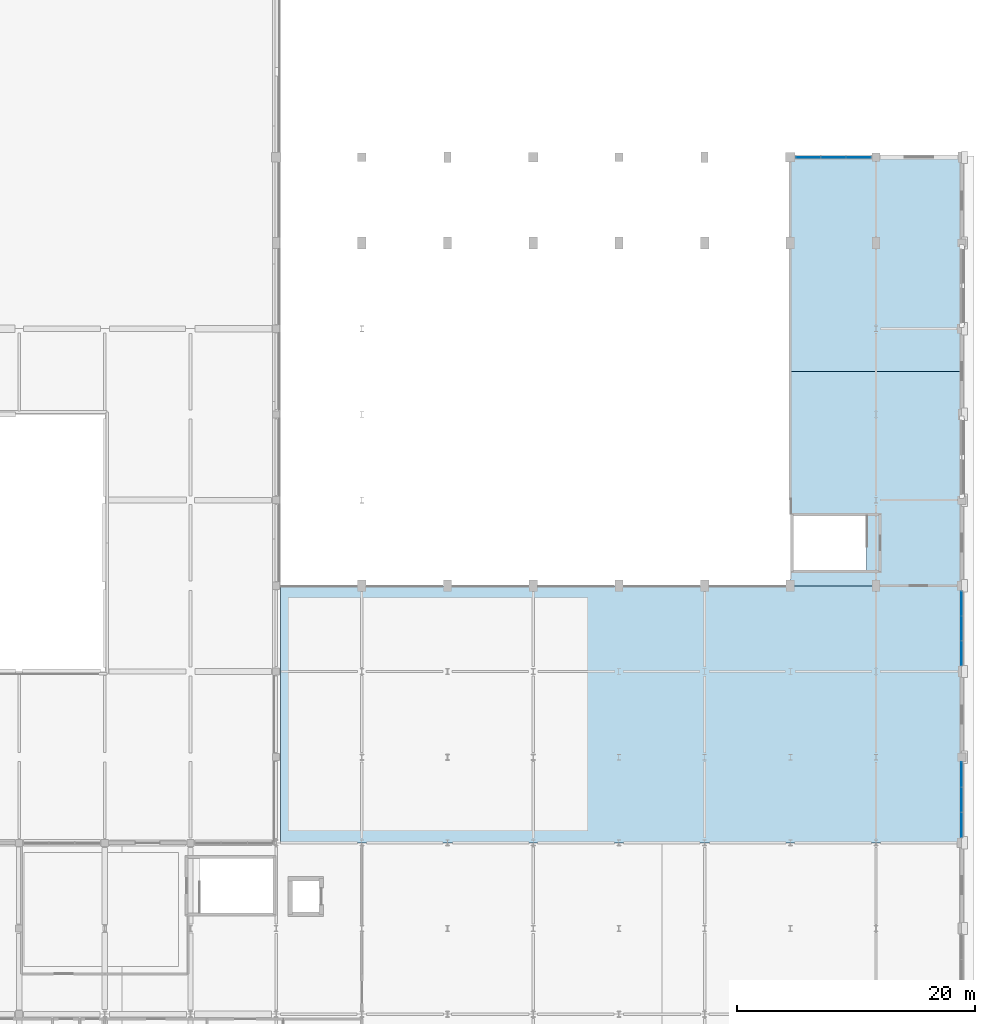
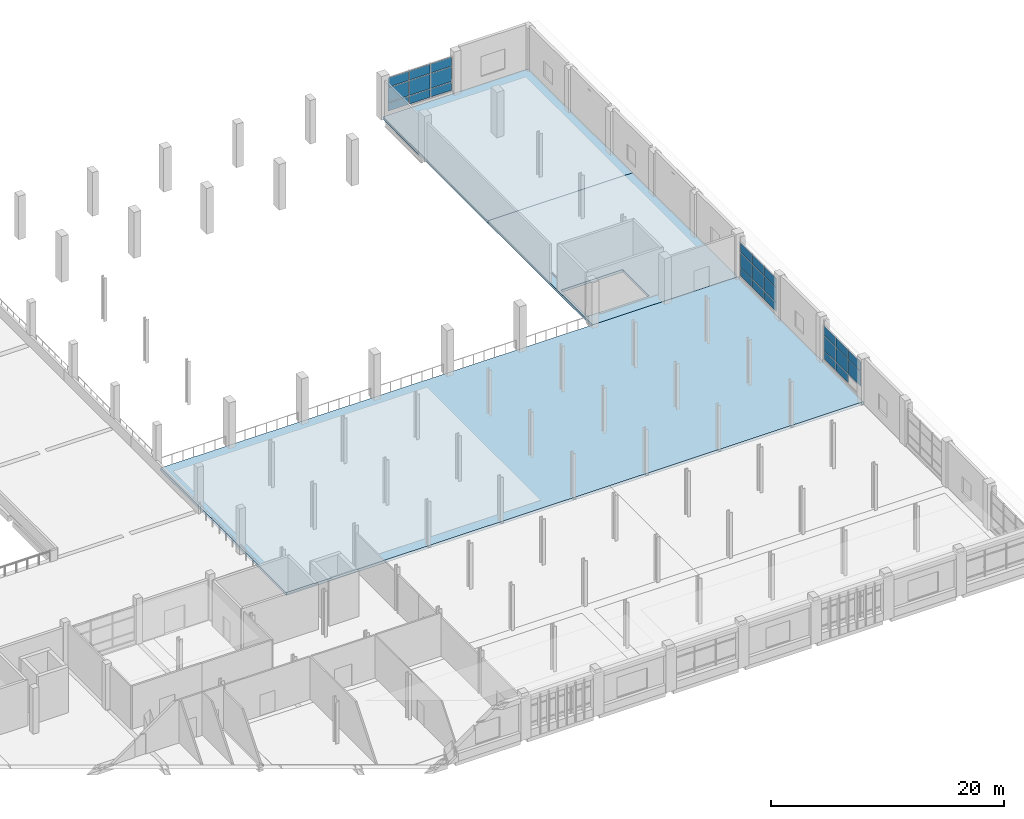
# One storey, part 50 of 82: 26 plates, 3 slabs, 3 elements without a shape of their own.
"""IFC4 building model written with IfcOpenShell, lengths in metres."""

from ifc_helpers import new_model, si_unit, direction, frame, origin, origin_2d, place, context, subcontext, project, spatial, polyline, rectangle, outline, extrude, material, layer, layer_set, type_object, element, aggregate, save


model = new_model("IFC4")

# Units and contexts
model_context = context("Model", 3, precision=1e-05, world=origin(), true_north=direction((0.0, 1.0)))
body_context = subcontext(model_context, "Body", "Model", "MODEL_VIEW")
ifc_project = project(units=[si_unit("LENGTHUNIT", "METRE"), si_unit("AREAUNIT", "SQUARE_METRE"), si_unit("VOLUMEUNIT", "CUBIC_METRE"), si_unit("PLANEANGLEUNIT", "RADIAN"), si_unit("MASSUNIT", "GRAM", prefix="KILO")], contexts=[model_context])

# Site, building, storey
site_placement = place(None, origin())
site = spatial("IfcSite", under=ifc_project, at=site_placement, CompositionType="ELEMENT")
building_placement = place(site_placement, origin())
building = spatial("IfcBuilding", under=site, at=building_placement, Name="Sardonyx Promenade Sports Hall", CompositionType="ELEMENT")
storey_placement = place(building_placement, frame((0.0, 0.0, 11.199951171875)))
storey = spatial("IfcBuildingStorey", under=building, at=storey_placement, Name="L02", CompositionType="ELEMENT", Elevation=11.199951171875)

# Curtain wall, plates
ifc_material_1 = material(Name="Aluminium 6063-T6", Category="aluminium")
curtain_wall_type = type_object("IfcCurtainWallType", Name="CW_Prac_East_L02", PredefinedType="USERDEFINED", material=ifc_material_1)
curtain_wall_1_placement = place(storey_placement, origin())
curtain_wall_1 = element("IfcCurtainWall", 1, at=curtain_wall_1_placement, inside=storey, type_object=curtain_wall_type, Name="Curtain wall CW03 cw:L02:056", ObjectType="CURTAIN WALL", PredefinedType="USERDEFINED")
ifc_material_2 = material(Name="Laminated safety sports IGU 36 mm", Category="glass")
ifc_layer_1 = layer(ifc_material_2, 0.035888671875)
ifc_layer_set_1 = layer_set([ifc_layer_1], Name="CW_Pan_Glz_36")
plate_type = type_object("IfcPlateType", Name="CW_Pan_Glz_36", PredefinedType="CURTAIN_PANEL", material=ifc_layer_set_1)
plate_1_placement = place(storey_placement, frame((165.60009765625, 48.90673828125, 0.4150390625), z_axis=(0.0, 0.0, 1.0), x_axis=(0.0, -1.0, 0.0)))
plate_1 = element("IfcPlate", 2, at=plate_1_placement, type_object=plate_type, Name="Curtain panel CP03 cw:L02:056 #1", PredefinedType="CURTAIN_PANEL", context=body_context, shape_type="SweptSolid", body=[
    extrude(rectangle(XDim=2.0166015625, YDim=0.035888671875, at=origin_2d()), origin(), (0.0, 0.0, 1.0), 0.8525390625),
])
plate_2_placement = place(storey_placement, frame((165.60009765625, 48.90673828125, 1.33251953125), z_axis=(0.0, 0.0, 1.0), x_axis=(0.0, -1.0, 0.0)))
plate_2 = element("IfcPlate", 3, at=plate_2_placement, type_object=plate_type, Name="Curtain panel CP03 cw:L02:056 #2", PredefinedType="CURTAIN_PANEL", context=body_context, shape_type="SweptSolid", body=[
    extrude(rectangle(XDim=2.0166015625, YDim=0.035888671875, at=origin_2d()), origin(), (0.0, 0.0, 1.0), 1.534912109375),
])
plate_3_placement = place(storey_placement, frame((165.60009765625, 48.90673828125, 2.9326171875), z_axis=(0.0, 0.0, 1.0), x_axis=(0.0, -1.0, 0.0)))
plate_3 = element("IfcPlate", 4, at=plate_3_placement, type_object=plate_type, Name="Curtain panel CP03 cw:L02:056 #3", PredefinedType="CURTAIN_PANEL", context=body_context, shape_type="SweptSolid", body=[
    extrude(rectangle(XDim=2.0166015625, YDim=0.035888671875, at=origin_2d()), origin(), (0.0, 0.0, 1.0), 0.952392578125),
])
plate_4_placement = place(storey_placement, frame((165.60009765625, 46.824951171875, 0.4150390625), z_axis=(0.0, 0.0, 1.0), x_axis=(0.0, -1.0, 0.0)))
plate_4 = element("IfcPlate", 5, at=plate_4_placement, type_object=plate_type, Name="Curtain panel CP03 cw:L02:056 #4", PredefinedType="CURTAIN_PANEL", context=body_context, shape_type="SweptSolid", body=[
    extrude(rectangle(XDim=2.0166015625, YDim=0.035888671875, at=origin_2d()), origin(), (0.0, 0.0, 1.0), 0.8525390625),
])
plate_5_placement = place(storey_placement, frame((165.60009765625, 46.824951171875, 1.33251953125), z_axis=(0.0, 0.0, 1.0), x_axis=(0.0, -1.0, 0.0)))
plate_5 = element("IfcPlate", 6, at=plate_5_placement, type_object=plate_type, Name="Curtain panel CP03 cw:L02:056 #5", PredefinedType="CURTAIN_PANEL", context=body_context, shape_type="SweptSolid", body=[
    extrude(rectangle(XDim=2.0166015625, YDim=0.035888671875, at=origin_2d()), origin(), (0.0, 0.0, 1.0), 1.534912109375),
])
plate_6_placement = place(storey_placement, frame((165.60009765625, 46.824951171875, 2.9326171875), z_axis=(0.0, 0.0, 1.0), x_axis=(0.0, -1.0, 0.0)))
plate_6 = element("IfcPlate", 7, at=plate_6_placement, type_object=plate_type, Name="Curtain panel CP03 cw:L02:056 #6", PredefinedType="CURTAIN_PANEL", context=body_context, shape_type="SweptSolid", body=[
    extrude(rectangle(XDim=2.0166015625, YDim=0.035888671875, at=origin_2d()), origin(), (0.0, 0.0, 1.0), 0.952392578125),
])
plate_7_placement = place(storey_placement, frame((165.60009765625, 44.743408203125, 0.4150390625), z_axis=(0.0, 0.0, 1.0), x_axis=(0.0, -1.0, 0.0)))
plate_7 = element("IfcPlate", 8, at=plate_7_placement, type_object=plate_type, Name="Curtain panel CP03 cw:L02:056 #7", PredefinedType="CURTAIN_PANEL", context=body_context, shape_type="SweptSolid", body=[
    extrude(rectangle(XDim=2.0166015625, YDim=0.035888671875, at=origin_2d()), origin(), (0.0, 0.0, 1.0), 0.8525390625),
])
plate_8_placement = place(storey_placement, frame((165.60009765625, 44.743408203125, 1.33251953125), z_axis=(0.0, 0.0, 1.0), x_axis=(0.0, -1.0, 0.0)))
plate_8 = element("IfcPlate", 9, at=plate_8_placement, type_object=plate_type, Name="Curtain panel CP03 cw:L02:056 #8", PredefinedType="CURTAIN_PANEL", context=body_context, shape_type="SweptSolid", body=[
    extrude(rectangle(XDim=2.0166015625, YDim=0.035888671875, at=origin_2d()), origin(), (0.0, 0.0, 1.0), 1.534912109375),
])
plate_9_placement = place(storey_placement, frame((165.60009765625, 44.743408203125, 2.9326171875), z_axis=(0.0, 0.0, 1.0), x_axis=(0.0, -1.0, 0.0)))
plate_9 = element("IfcPlate", 10, at=plate_9_placement, type_object=plate_type, Name="Curtain panel CP03 cw:L02:056 #9", PredefinedType="CURTAIN_PANEL", context=body_context, shape_type="SweptSolid", body=[
    extrude(rectangle(XDim=2.0166015625, YDim=0.035888671875, at=origin_2d()), origin(), (0.0, 0.0, 1.0), 0.952392578125),
])
aggregate(curtain_wall_1, [plate_1, plate_2, plate_3, plate_4, plate_5, plate_6, plate_7, plate_8, plate_9])

curtain_wall_2_placement = place(storey_placement, origin())
curtain_wall_2 = element("IfcCurtainWall", 11, at=curtain_wall_2_placement, inside=storey, type_object=curtain_wall_type, Name="Curtain wall CW03 cw:L02:057", ObjectType="CURTAIN WALL", PredefinedType="USERDEFINED")
plate_10_placement = place(storey_placement, frame((165.60009765625, 34.5400390625, 0.4150390625), z_axis=(0.0, 0.0, 1.0), x_axis=(0.0, -1.0, 0.0)))
plate_10 = element("IfcPlate", 12, at=plate_10_placement, type_object=plate_type, Name="Curtain panel CP03 cw:L02:057 #1", PredefinedType="CURTAIN_PANEL", context=body_context, shape_type="SweptSolid", body=[
    extrude(rectangle(XDim=2.050048828125, YDim=0.035888671875, at=origin_2d()), origin(), (0.0, 0.0, 1.0), 0.8525390625),
])
plate_11_placement = place(storey_placement, frame((165.60009765625, 34.5400390625, 1.33251953125), z_axis=(0.0, 0.0, 1.0), x_axis=(0.0, -1.0, 0.0)))
plate_11 = element("IfcPlate", 13, at=plate_11_placement, type_object=plate_type, Name="Curtain panel CP03 cw:L02:057 #2", PredefinedType="CURTAIN_PANEL", context=body_context, shape_type="SweptSolid", body=[
    extrude(rectangle(XDim=2.050048828125, YDim=0.035888671875, at=origin_2d()), origin(), (0.0, 0.0, 1.0), 1.534912109375),
])
plate_12_placement = place(storey_placement, frame((165.60009765625, 34.5400390625, 2.9326171875), z_axis=(0.0, 0.0, 1.0), x_axis=(0.0, -1.0, 0.0)))
plate_12 = element("IfcPlate", 14, at=plate_12_placement, type_object=plate_type, Name="Curtain panel CP03 cw:L02:057 #3", PredefinedType="CURTAIN_PANEL", context=body_context, shape_type="SweptSolid", body=[
    extrude(rectangle(XDim=2.050048828125, YDim=0.035888671875, at=origin_2d()), origin(), (0.0, 0.0, 1.0), 0.952392578125),
])
plate_13_placement = place(storey_placement, frame((165.60009765625, 32.425048828125, 0.4150390625), z_axis=(0.0, 0.0, 1.0), x_axis=(0.0, -1.0, 0.0)))
plate_13 = element("IfcPlate", 15, at=plate_13_placement, type_object=plate_type, Name="Curtain panel CP03 cw:L02:057 #4", PredefinedType="CURTAIN_PANEL", context=body_context, shape_type="SweptSolid", body=[
    extrude(rectangle(XDim=2.050048828125, YDim=0.035888671875, at=origin_2d()), origin(), (0.0, 0.0, 1.0), 0.8525390625),
])
plate_14_placement = place(storey_placement, frame((165.60009765625, 32.425048828125, 1.33251953125), z_axis=(0.0, 0.0, 1.0), x_axis=(0.0, -1.0, 0.0)))
plate_14 = element("IfcPlate", 16, at=plate_14_placement, type_object=plate_type, Name="Curtain panel CP03 cw:L02:057 #5", PredefinedType="CURTAIN_PANEL", context=body_context, shape_type="SweptSolid", body=[
    extrude(rectangle(XDim=2.050048828125, YDim=0.035888671875, at=origin_2d()), origin(), (0.0, 0.0, 1.0), 1.534912109375),
])
plate_15_placement = place(storey_placement, frame((165.60009765625, 32.425048828125, 2.9326171875), z_axis=(0.0, 0.0, 1.0), x_axis=(0.0, -1.0, 0.0)))
plate_15 = element("IfcPlate", 17, at=plate_15_placement, type_object=plate_type, Name="Curtain panel CP03 cw:L02:057 #6", PredefinedType="CURTAIN_PANEL", context=body_context, shape_type="SweptSolid", body=[
    extrude(rectangle(XDim=2.050048828125, YDim=0.035888671875, at=origin_2d()), origin(), (0.0, 0.0, 1.0), 0.952392578125),
])
plate_16_placement = place(storey_placement, frame((165.60009765625, 30.31005859375, 1.33251953125), z_axis=(0.0, 0.0, 1.0), x_axis=(0.0, -1.0, 0.0)))
plate_16 = element("IfcPlate", 18, at=plate_16_placement, type_object=plate_type, Name="Curtain panel CP03 cw:L02:057 #8", PredefinedType="CURTAIN_PANEL", context=body_context, shape_type="SweptSolid", body=[
    extrude(rectangle(XDim=2.050048828125, YDim=0.035888671875, at=origin_2d()), origin(), (0.0, 0.0, 1.0), 1.534912109375),
])
plate_17_placement = place(storey_placement, frame((165.60009765625, 30.31005859375, 2.9326171875), z_axis=(0.0, 0.0, 1.0), x_axis=(0.0, -1.0, 0.0)))
plate_17 = element("IfcPlate", 19, at=plate_17_placement, type_object=plate_type, Name="Curtain panel CP03 cw:L02:057 #9", PredefinedType="CURTAIN_PANEL", context=body_context, shape_type="SweptSolid", body=[
    extrude(rectangle(XDim=2.050048828125, YDim=0.035888671875, at=origin_2d()), origin(), (0.0, 0.0, 1.0), 0.952392578125),
])
aggregate(curtain_wall_2, [plate_10, plate_11, plate_12, plate_13, plate_14, plate_15, plate_16, plate_17])

curtain_wall_3_placement = place(storey_placement, origin())
curtain_wall_3 = element("IfcCurtainWall", 20, at=curtain_wall_3_placement, inside=storey, type_object=curtain_wall_type, Name="Curtain wall CW03 cw:L02:107", ObjectType="CURTAIN WALL", PredefinedType="USERDEFINED")
plate_18_placement = place(storey_placement, frame((152.7099609375, 86.39990234375, 0.4150390625), z_axis=(0.0, 0.0, 1.0), x_axis=(1.0, 0.0, 0.0)))
plate_18 = element("IfcPlate", 21, at=plate_18_placement, type_object=plate_type, Name="Curtain panel CP03 cw:L02:107 #1", PredefinedType="CURTAIN_PANEL", context=body_context, shape_type="SweptSolid", body=[
    extrude(rectangle(XDim=2.050048828125, YDim=0.035888671875, at=origin_2d()), origin(), (0.0, 0.0, 1.0), 0.8525390625),
])
plate_19_placement = place(storey_placement, frame((152.7099609375, 86.39990234375, 1.33251953125), z_axis=(0.0, 0.0, 1.0), x_axis=(1.0, 0.0, 0.0)))
plate_19 = element("IfcPlate", 22, at=plate_19_placement, type_object=plate_type, Name="Curtain panel CP03 cw:L02:107 #2", PredefinedType="CURTAIN_PANEL", context=body_context, shape_type="SweptSolid", body=[
    extrude(rectangle(XDim=2.050048828125, YDim=0.035888671875, at=origin_2d()), origin(), (0.0, 0.0, 1.0), 1.534912109375),
])
plate_20_placement = place(storey_placement, frame((152.7099609375, 86.39990234375, 2.9326171875), z_axis=(0.0, 0.0, 1.0), x_axis=(1.0, 0.0, 0.0)))
plate_20 = element("IfcPlate", 23, at=plate_20_placement, type_object=plate_type, Name="Curtain panel CP03 cw:L02:107 #3", PredefinedType="CURTAIN_PANEL", context=body_context, shape_type="SweptSolid", body=[
    extrude(rectangle(XDim=2.050048828125, YDim=0.035888671875, at=origin_2d()), origin(), (0.0, 0.0, 1.0), 0.952392578125),
])
plate_21_placement = place(storey_placement, frame((154.824951171875, 86.39990234375, 0.4150390625), z_axis=(0.0, 0.0, 1.0), x_axis=(1.0, 0.0, 0.0)))
plate_21 = element("IfcPlate", 24, at=plate_21_placement, type_object=plate_type, Name="Curtain panel CP03 cw:L02:107 #4", PredefinedType="CURTAIN_PANEL", context=body_context, shape_type="SweptSolid", body=[
    extrude(rectangle(XDim=2.050048828125, YDim=0.035888671875, at=origin_2d()), origin(), (0.0, 0.0, 1.0), 0.8525390625),
])
plate_22_placement = place(storey_placement, frame((154.824951171875, 86.39990234375, 1.33251953125), z_axis=(0.0, 0.0, 1.0), x_axis=(1.0, 0.0, 0.0)))
plate_22 = element("IfcPlate", 25, at=plate_22_placement, type_object=plate_type, Name="Curtain panel CP03 cw:L02:107 #5", PredefinedType="CURTAIN_PANEL", context=body_context, shape_type="SweptSolid", body=[
    extrude(rectangle(XDim=2.050048828125, YDim=0.035888671875, at=origin_2d()), origin(), (0.0, 0.0, 1.0), 1.534912109375),
])
plate_23_placement = place(storey_placement, frame((154.824951171875, 86.39990234375, 2.9326171875), z_axis=(0.0, 0.0, 1.0), x_axis=(1.0, 0.0, 0.0)))
plate_23 = element("IfcPlate", 26, at=plate_23_placement, type_object=plate_type, Name="Curtain panel CP03 cw:L02:107 #6", PredefinedType="CURTAIN_PANEL", context=body_context, shape_type="SweptSolid", body=[
    extrude(rectangle(XDim=2.050048828125, YDim=0.035888671875, at=origin_2d()), origin(), (0.0, 0.0, 1.0), 0.952392578125),
])
plate_24_placement = place(storey_placement, frame((156.93994140625, 86.39990234375, 0.4150390625), z_axis=(0.0, 0.0, 1.0), x_axis=(1.0, 0.0, 0.0)))
plate_24 = element("IfcPlate", 27, at=plate_24_placement, type_object=plate_type, Name="Curtain panel CP03 cw:L02:107 #7", PredefinedType="CURTAIN_PANEL", context=body_context, shape_type="SweptSolid", body=[
    extrude(rectangle(XDim=2.050048828125, YDim=0.035888671875, at=origin_2d()), origin(), (0.0, 0.0, 1.0), 0.8525390625),
])
plate_25_placement = place(storey_placement, frame((156.93994140625, 86.39990234375, 1.33251953125), z_axis=(0.0, 0.0, 1.0), x_axis=(1.0, 0.0, 0.0)))
plate_25 = element("IfcPlate", 28, at=plate_25_placement, type_object=plate_type, Name="Curtain panel CP03 cw:L02:107 #8", PredefinedType="CURTAIN_PANEL", context=body_context, shape_type="SweptSolid", body=[
    extrude(rectangle(XDim=2.050048828125, YDim=0.035888671875, at=origin_2d()), origin(), (0.0, 0.0, 1.0), 1.534912109375),
])
plate_26_placement = place(storey_placement, frame((156.93994140625, 86.39990234375, 2.9326171875), z_axis=(0.0, 0.0, 1.0), x_axis=(1.0, 0.0, 0.0)))
plate_26 = element("IfcPlate", 29, at=plate_26_placement, type_object=plate_type, Name="Curtain panel CP03 cw:L02:107 #9", PredefinedType="CURTAIN_PANEL", context=body_context, shape_type="SweptSolid", body=[
    extrude(rectangle(XDim=2.050048828125, YDim=0.035888671875, at=origin_2d()), origin(), (0.0, 0.0, 1.0), 0.952392578125),
])
aggregate(curtain_wall_3, [plate_18, plate_19, plate_20, plate_21, plate_22, plate_23, plate_24, plate_25, plate_26])

# Slabs
ifc_material_3 = material(Name="Concrete C40/50", Category="concrete")
ifc_layer_2 = layer(ifc_material_3, 0.2900390625)
ifc_layer_set_2 = layer_set([ifc_layer_2], Name="Slab_Ext_Loggia_220")
slab_type_1 = type_object("IfcSlabType", Name="Slab_Ext_Loggia_220", PredefinedType="FLOOR", material=ifc_layer_set_2)
slab_1_placement = place(storey_placement, frame((0.0, 0.0, -0.2900390625)))
element("IfcSlab", 30, at=slab_1_placement, inside=storey, type_object=slab_type_1, Name="East pavilion shaded verandah L02", PredefinedType="FLOOR", context=body_context, shape_type="SweptSolid", body=[
    extrude(outline(polyline([(108.35009765625, 28.800048828125), (165.60009765625, 28.800048828125), (165.60009765625, 50.39990234375), (108.35009765625, 50.39990234375), (108.35009765625, 28.800048828125)])), origin(), (0.0, 0.0, 1.0), 0.2900390625),
])
ifc_material_4 = material(Name="Concrete C40/50", Category="concrete")
ifc_layer_3 = layer(ifc_material_4, 0.27001953125)
ifc_layer_set_3 = layer_set([ifc_layer_3], Name="Slab_Floor_Studio_250")
slab_type_2 = type_object("IfcSlabType", Name="Slab_Floor_Studio_250", PredefinedType="FLOOR", material=ifc_layer_set_3)
slab_2_placement = place(storey_placement, frame((0.0, 0.0, -0.27001953125)))
element("IfcSlab", 31, at=slab_2_placement, inside=storey, type_object=slab_type_2, Name="Slab FS03 L02 #160", PredefinedType="FLOOR", context=body_context, shape_type="SweptSolid", body=[
    extrude(outline(polyline([(151.199951171875, 68.39990234375), (151.199951171875, 50.39990234375), (165.60009765625, 50.39990234375), (165.60009765625, 68.39990234375), (151.199951171875, 68.39990234375)]), holes=[polyline([(157.590087890625, 56.27490234375), (157.590087890625, 51.72509765625), (151.449951171875, 51.72509765625), (151.449951171875, 56.27490234375), (157.590087890625, 56.27490234375)])]), origin(), (0.0, 0.0, 1.0), 0.27001953125),
])
slab_3_placement = place(storey_placement, frame((0.0, 0.0, -0.27001953125)))
element("IfcSlab", 32, at=slab_3_placement, inside=storey, type_object=slab_type_2, Name="Slab FS03 L02 #161", PredefinedType="FLOOR", context=body_context, shape_type="SweptSolid", body=[
    extrude(outline(polyline([(151.199951171875, 68.39990234375), (165.60009765625, 68.39990234375), (165.60009765625, 86.39990234375), (151.199951171875, 86.39990234375), (151.199951171875, 68.39990234375)])), origin(), (0.0, 0.0, 1.0), 0.27001953125),
])

save(model, "model.ifc")
